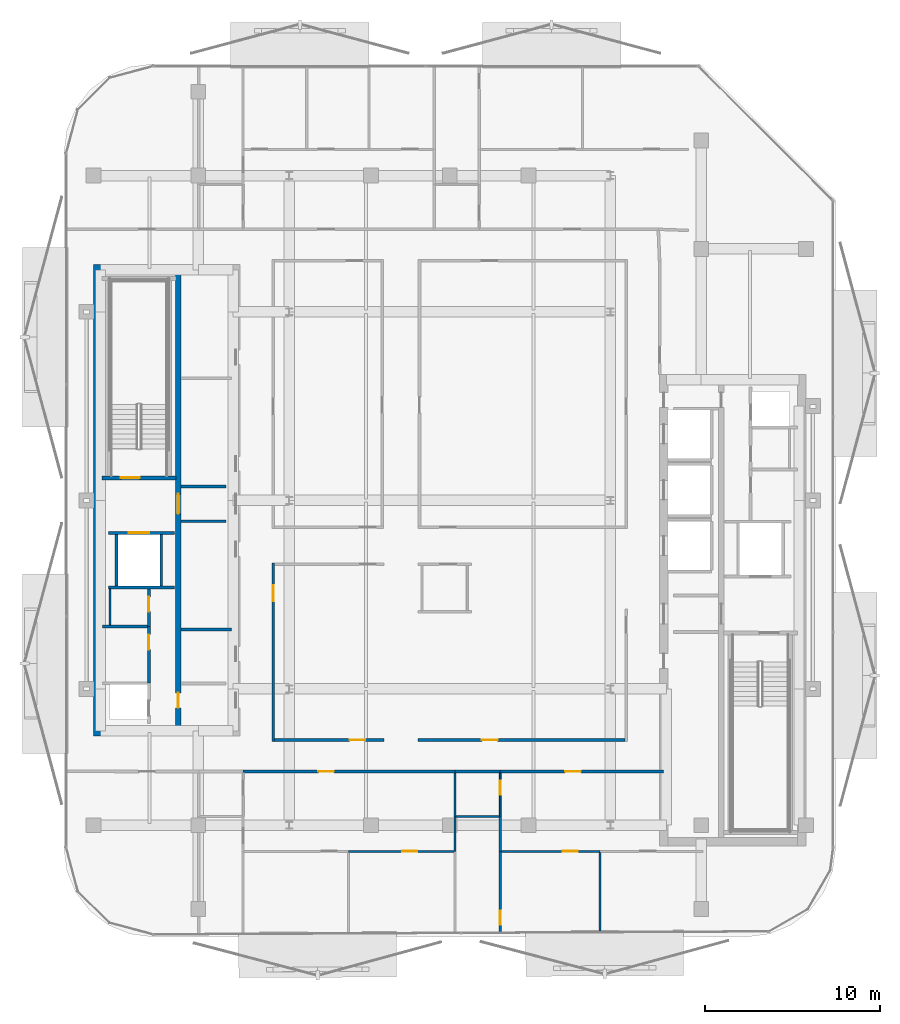
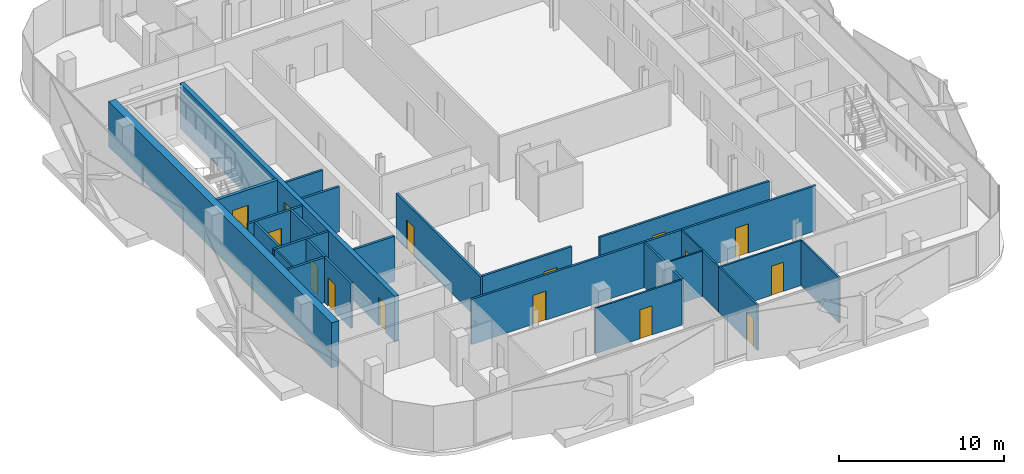
# One storey, part 3 of 16: 29 walls, 15 doors, 15 openings.
"""IFC4 building model written with IfcOpenShell, lengths in metres."""

from ifc_helpers import new_model, si_unit, direction, frame, frame_2d, origin, place, context, subcontext, project, spatial, rectangle, extrude, material, layer, layer_set, type_object, element, fill, save


model = new_model("IFC4")

# Units and contexts
model_context = context("Model", 3, precision=1e-05, world=origin(), true_north=direction((0.0, 1.0)))
body_context = subcontext(model_context, "Body", "Model", "MODEL_VIEW")
ifc_project = project(units=[si_unit("LENGTHUNIT", "METRE"), si_unit("AREAUNIT", "SQUARE_METRE"), si_unit("VOLUMEUNIT", "CUBIC_METRE"), si_unit("PLANEANGLEUNIT", "RADIAN"), si_unit("MASSUNIT", "GRAM", prefix="KILO")], contexts=[model_context])

# Site, building, storey
site_placement = place(None, origin())
site = spatial("IfcSite", under=ifc_project, at=site_placement, CompositionType="ELEMENT")
building_placement = place(site_placement, origin())
building = spatial("IfcBuilding", under=site, at=building_placement, Name="Khairoan Windgate Tower", CompositionType="ELEMENT")
storey_placement = place(building_placement, frame((0.0, 0.0, 258.39990234375)))
storey = spatial("IfcBuildingStorey", under=building, at=storey_placement, Name="L61", CompositionType="ELEMENT", Elevation=258.39990234375)

# Wall
ifc_material_1 = material(Name="Moisture-Resistant Gypsum Partition", Category="gypsum")
ifc_layer_1 = layer(ifc_material_1, 0.10009765625, Name="Moisture-Resistant Gypsum Partition")
ifc_layer_set_1 = layer_set([ifc_layer_1], Name="Moisture-Resistant Gypsum Partition")
wall_type_1 = type_object("IfcWallType", Name="Bathroom Wet-Area Partition Wall", PredefinedType="PARTITIONING", material=ifc_layer_set_1)
wall_1_placement = place(storey_placement, frame((0.3701171875, -18.10009765625, 0.0), z_axis=(0.0, 0.0, 1.0), x_axis=(1.0, 0.0, 0.0)))
element("IfcWall", 1, at=wall_1_placement, inside=storey, type_object=wall_type_1, Name="L61 Interior Partition 073", PredefinedType="PARTITIONING", context=body_context, shape_type="SweptSolid", body=[
    extrude(rectangle(XDim=2.469970703125, YDim=0.10009765625, at=frame_2d((1.23486328125, 0.0))), origin(), (0.0, 0.0, 1.0), 3.340087890625),
])

# Wall, opening, door
wall_2_placement = place(storey_placement, frame((2.889892578125, -18.10009765625, 0.0), z_axis=(0.0, 0.0, 1.0), x_axis=(0.0, 1.0, 0.0)))
wall_2 = element("IfcWall", 2, at=wall_2_placement, inside=storey, type_object=wall_type_1, Name="L61 Interior Partition 074", PredefinedType="PARTITIONING", context=body_context, shape_type="SweptSolid", body=[
    extrude(rectangle(XDim=2.5, YDim=0.10009765625, at=frame_2d((1.25, 0.0))), origin(), (0.0, 0.0, 1.0), 3.340087890625),
])
opening_1_placement = place(wall_2_placement, frame((1.239990234375, 0.0, 0.0)))
opening_1 = element("IfcOpeningElement", 3, at=opening_1_placement, cuts=wall_2, Name="Opening ID-BTH", PredefinedType="OPENING", context=body_context, shape_type="SweptSolid", body=[
    extrude(rectangle(XDim=0.800048828125, YDim=2.10009765625, at=frame_2d((0.39990234375, 1.050048828125))), frame((0.0, 0.06005859375, 0.0), z_axis=(0.0, -1.0, 0.0), x_axis=(1.0, 0.0, 0.0)), (0.0, 0.0, 1.0), 0.1201171875),
])
ifc_material_2 = material(Name="Teak Veneer Timber Leaf", Category="wood")
door_type_1 = type_object("IfcDoorType", Name="Internal Bathroom Door ID-BTH 800x2100", OperationType="NOTDEFINED", PredefinedType="DOOR", material=ifc_material_2)
door_1_placement = place(opening_1_placement, origin())
door_1 = element("IfcDoor", 4, at=door_1_placement, inside=storey, type_object=door_type_1, Name="L61 L61-49-L61-51 Door", OperationType="SINGLE_SWING_LEFT", OverallHeight=2.10009765625, OverallWidth=0.800048828125, PredefinedType="DOOR", context=body_context, shape_type="SweptSolid", body=[
    extrude(rectangle(XDim=0.800048828125, YDim=2.10009765625, at=frame_2d((0.39990234375, 1.050048828125))), frame((0.0, 0.02490234375, 0.0), z_axis=(0.0, -1.0, 0.0), x_axis=(1.0, 0.0, 0.0)), (0.0, 0.0, 1.0), 0.050048828125),
])
fill(opening_1, door_1)

# Wall
wall_3_placement = place(storey_placement, frame((-19.449951171875, -7.14990234375, 0.0), z_axis=(0.0, 0.0, 1.0), x_axis=(0.0, 1.0, 0.0)))
element("IfcWall", 5, at=wall_3_placement, inside=storey, type_object=wall_type_1, Name="L61 Wet Room Side Wall 081", PredefinedType="PARTITIONING", context=body_context, shape_type="SweptSolid", body=[
    extrude(rectangle(XDim=2.08984375, YDim=0.10009765625, at=frame_2d((1.044921875, 0.0))), origin(), (0.0, 0.0, 1.0), 3.340087890625),
])

# Wall, opening, door
ifc_material_3 = material(Name="Concrete C40/50", Category="concrete")
ifc_layer_2 = layer(ifc_material_3, 0.159912109375, Name="Concrete C40/50")
ifc_layer_set_2 = layer_set([ifc_layer_2], Name="Concrete C40/50")
wall_type_2 = type_object("IfcWallType", Name="Core and Hoistway Enclosure Wall", PredefinedType="STANDARD", material=ifc_layer_set_2)
wall_4_placement = place(storey_placement, frame((-19.550048828125, -1.860107421875, 0.0), z_axis=(0.0, 0.0, 1.0), x_axis=(1.0, 0.0, 0.0)))
wall_4 = element("IfcWall", 6, at=wall_4_placement, inside=storey, type_object=wall_type_2, Name="L61 Core Shaft Wall SW-FL2-L61", PredefinedType="STANDARD", context=body_context, shape_type="SweptSolid", body=[
    extrude(rectangle(XDim=3.800048828125, YDim=0.159912109375, at=frame_2d((1.89990234375, 0.0))), origin(), (0.0, 0.0, 1.0), 3.340087890625),
])
opening_2_placement = place(wall_4_placement, frame((1.179931640625, 0.0, 0.0)))
opening_2 = element("IfcOpeningElement", 7, at=opening_2_placement, cuts=wall_4, Name="Opening LD-FL", PredefinedType="OPENING", context=body_context, shape_type="SweptSolid", body=[
    extrude(rectangle(XDim=1.14990234375, YDim=2.199951171875, at=frame_2d((0.574951171875, 1.10009765625))), frame((0.0, 0.08984375, 0.0), z_axis=(0.0, -1.0, 0.0), x_axis=(1.0, 0.0, 0.0)), (0.0, 0.0, 1.0), 0.179931640625),
])
ifc_material_4 = material(Name="Steel S355", Category="steel")
door_type_2 = type_object("IfcDoorType", Name="Firefighting Lift Sliding Landing Door LD-FL 1150x2200", OperationType="DOUBLE_DOOR_SLIDING", PredefinedType="DOOR", material=ifc_material_4)
door_2_placement = place(opening_2_placement, origin())
door_2 = element("IfcDoor", 8, at=door_2_placement, inside=storey, type_object=door_type_2, Name="L61 Firefighting Lift FL2 Landing Door", OperationType="DOUBLE_DOOR_SLIDING", OverallHeight=2.199951171875, OverallWidth=1.14990234375, PredefinedType="DOOR", context=body_context, shape_type="SweptSolid", body=[
    extrude(rectangle(XDim=1.14990234375, YDim=2.199951171875, at=frame_2d((0.574951171875, 1.10009765625))), frame((0.0, 0.02490234375, 0.0), z_axis=(0.0, -1.0, 0.0), x_axis=(1.0, 0.0, 0.0)), (0.0, 0.0, 1.0), 0.050048828125),
])
fill(opening_2, door_2)

# Walls
wall_5_placement = place(storey_placement, frame((-19.550048828125, -4.97998046875, 0.0), z_axis=(0.0, 0.0, 1.0), x_axis=(1.0, 0.0, 0.0)))
element("IfcWall", 9, at=wall_5_placement, inside=storey, type_object=wall_type_2, Name="L61 Core Shaft Wall SW-FL2B-L61", PredefinedType="STANDARD", context=body_context, shape_type="SweptSolid", body=[
    extrude(rectangle(XDim=3.800048828125, YDim=0.159912109375, at=frame_2d((1.89990234375, 0.0))), origin(), (0.0, 0.0, 1.0), 3.340087890625),
])
for number, where, z_axis, x_axis, name in (
    (10, (-19.080078125, -4.89990234375, 0.0), (0.0, 0.0, 1.0), (0.0, 1.0, 0.0), "L61 Core Shaft Wall SW-FL2W-L61"),
    (11, (-16.52001953125, -4.89990234375, 0.0), (0.0, 0.0, 1.0), (0.0, 1.0, 0.0), "L61 Core Shaft Wall SW-FL2E-L61"),
):
    element("IfcWall", number, at=place(storey_placement, frame(where, z_axis=z_axis, x_axis=x_axis)), inside=storey, type_object=wall_type_2, Name=name, PredefinedType="STANDARD", context=body_context, shape_type="SweptSolid", body=[
        extrude(rectangle(XDim=2.9599609375, YDim=0.159912109375, at=frame_2d((1.47998046875, 0.0))), origin(), (0.0, 0.0, 1.0), 3.340087890625),
    ])
for number, where, z_axis, x_axis, name in (
    (12, (-15.39990234375, 0.800048828125, 0.0), (0.0, 0.0, 1.0), (1.0, 0.0, 0.0), "L61 Core Shaft Wall SW-WV1-L61"),
    (13, (-15.39990234375, -1.199951171875, 0.0), (0.0, 0.0, 1.0), (1.0, 0.0, 0.0), "L61 Core Shaft Wall SW-WV2-L61"),
):
    element("IfcWall", number, at=place(storey_placement, frame(where, z_axis=z_axis, x_axis=x_axis)), inside=storey, type_object=wall_type_2, Name=name, PredefinedType="STANDARD", context=body_context, shape_type="SweptSolid", body=[
        extrude(rectangle(XDim=2.599853515625, YDim=0.159912109375, at=frame_2d((1.2998046875, 0.0))), origin(), (0.0, 0.0, 1.0), 3.340087890625),
    ])
ifc_material_5 = material(Name="Acoustic Fire-Rated Gypsum Partition", Category="gypsum")
ifc_layer_3 = layer(ifc_material_5, 0.139892578125, Name="Acoustic Fire-Rated Gypsum Partition")
ifc_layer_set_3 = layer_set([ifc_layer_3], Name="Acoustic Fire-Rated Gypsum Partition")
wall_type_3 = type_object("IfcWallType", Name="Inter-Tenancy Compartment Wall", PredefinedType="PARTITIONING", material=ifc_layer_set_3)
wall_6_placement = place(storey_placement, frame((0.300048828125, -18.10009765625, 0.0), z_axis=(0.0, 0.0, 1.0), x_axis=(0.0, 1.0, 0.0)))
element("IfcWall", 14, at=wall_6_placement, inside=storey, type_object=wall_type_3, Name="L61 Interior Partition 069", PredefinedType="PARTITIONING", context=body_context, shape_type="SweptSolid", body=[
    extrude(rectangle(XDim=2.5, YDim=0.139892578125, at=frame_2d((1.25, 0.0))), origin(), (0.0, 0.0, 1.0), 3.340087890625),
])
wall_7_placement = place(storey_placement, frame((0.300048828125, -20.10009765625, 0.0), z_axis=(0.0, 0.0, 1.0), x_axis=(0.0, 1.0, 0.0)))
element("IfcWall", 15, at=wall_7_placement, inside=storey, type_object=wall_type_3, Name="L61 Interior Partition 070", PredefinedType="PARTITIONING", context=body_context, shape_type="SweptSolid", body=[
    extrude(rectangle(XDim=2.0, YDim=0.139892578125, at=frame_2d((1.0, 0.0))), origin(), (0.0, 0.0, 1.0), 3.340087890625),
])

# Wall, opening, door
ifc_material_6 = material(Name="Gypsum Stud Partition", Category="gypsum")
ifc_layer_4 = layer(ifc_material_6, 0.1201171875, Name="Gypsum Stud Partition")
ifc_layer_set_4 = layer_set([ifc_layer_4], Name="Gypsum Stud Partition")
wall_type_4 = type_object("IfcWallType", Name="Internal Room Partition Wall", PredefinedType="PARTITIONING", material=ifc_layer_set_4)
wall_8_placement = place(storey_placement, frame((-5.804931640625, -20.10009765625, 0.0), z_axis=(0.0, 0.0, 1.0), x_axis=(1.0, 0.0, 0.0)))
wall_8 = element("IfcWall", 16, at=wall_8_placement, inside=storey, type_object=wall_type_4, Name="L61 Interior Partition 068", PredefinedType="PARTITIONING", context=body_context, shape_type="SweptSolid", body=[
    extrude(rectangle(XDim=6.034912109375, YDim=0.1201171875, at=frame_2d((3.017578125, 0.0))), origin(), (0.0, 0.0, 1.0), 3.340087890625),
])
opening_3_placement = place(wall_8_placement, frame((3.093994140625, 0.0, 0.0)))
opening_3 = element("IfcOpeningElement", 17, at=opening_3_placement, cuts=wall_8, Name="Opening ID-RM", PredefinedType="OPENING", context=body_context, shape_type="SweptSolid", body=[
    extrude(rectangle(XDim=0.860107421875, YDim=2.14990234375, at=frame_2d((0.43017578125, 1.074951171875))), frame((0.0, 0.070068359375, 0.0), z_axis=(0.0, -1.0, 0.0), x_axis=(1.0, 0.0, 0.0)), (0.0, 0.0, 1.0), 0.14013671875),
])
ifc_material_7 = material(Name="Teak Veneer Timber Leaf", Category="wood")
door_type_3 = type_object("IfcDoorType", Name="Internal Bedroom and Office Door ID-RM 860x2150", OperationType="NOTDEFINED", PredefinedType="DOOR", material=ifc_material_7)
door_3_placement = place(opening_3_placement, origin())
door_3 = element("IfcDoor", 18, at=door_3_placement, inside=storey, type_object=door_type_3, Name="L61 L61-46-L61-48 Door", OperationType="SINGLE_SWING_RIGHT", OverallHeight=2.14990234375, OverallWidth=0.860107421875, PredefinedType="DOOR", context=body_context, shape_type="SweptSolid", body=[
    extrude(rectangle(XDim=0.860107421875, YDim=2.14990234375, at=frame_2d((0.43017578125, 1.074951171875))), frame((0.0, 0.02490234375, 0.0), z_axis=(0.0, -1.0, 0.0), x_axis=(1.0, 0.0, 0.0)), (0.0, 0.0, 1.0), 0.050048828125),
])
fill(opening_3, door_3)

# Wall
wall_9_placement = place(storey_placement, frame((2.889892578125, -20.10009765625, 0.0), z_axis=(0.0, 0.0, 1.0), x_axis=(0.0, 1.0, 0.0)))
element("IfcWall", 19, at=wall_9_placement, inside=storey, type_object=wall_type_4, Name="L61 Interior Partition 075", PredefinedType="PARTITIONING", context=body_context, shape_type="SweptSolid", body=[
    extrude(rectangle(XDim=2.0, YDim=0.1201171875, at=frame_2d((1.0, 0.0))), origin(), (0.0, 0.0, 1.0), 3.340087890625),
])

# Wall, opening, door
wall_10_placement = place(storey_placement, frame((2.889892578125, -24.759033203125, 0.0), z_axis=(0.0, 0.0, 1.0), x_axis=(0.0, 1.0, 0.0)))
wall_10 = element("IfcWall", 20, at=wall_10_placement, inside=storey, type_object=wall_type_4, Name="L61 Interior Partition 076", PredefinedType="PARTITIONING", context=body_context, shape_type="SweptSolid", body=[
    extrude(rectangle(XDim=4.658935546875, YDim=0.1201171875, at=frame_2d((2.32958984375, 0.0))), origin(), (0.0, 0.0, 1.0), 3.340087890625),
])
opening_4_placement = place(wall_10_placement, frame((0.4599609375, 0.0, 0.0)))
opening_4 = element("IfcOpeningElement", 21, at=opening_4_placement, cuts=wall_10, Name="Opening ID-BTH", PredefinedType="OPENING", context=body_context, shape_type="SweptSolid", body=[
    extrude(rectangle(XDim=0.800048828125, YDim=2.10009765625, at=frame_2d((0.39990234375, 1.050048828125))), frame((0.0, 0.070068359375, 0.0), z_axis=(0.0, -1.0, 0.0), x_axis=(1.0, 0.0, 0.0)), (0.0, 0.0, 1.0), 0.14013671875),
])
door_4_placement = place(opening_4_placement, origin())
door_4 = element("IfcDoor", 22, at=door_4_placement, inside=storey, type_object=door_type_1, Name="L61 L61-50-L61-52 Door", OperationType="SINGLE_SWING_RIGHT", OverallHeight=2.10009765625, OverallWidth=0.800048828125, PredefinedType="DOOR", context=body_context, shape_type="SweptSolid", body=[
    extrude(rectangle(XDim=0.800048828125, YDim=2.10009765625, at=frame_2d((0.39990234375, 1.050048828125))), frame((0.0, 0.02490234375, 0.0), z_axis=(0.0, -1.0, 0.0), x_axis=(1.0, 0.0, 0.0)), (0.0, 0.0, 1.0), 0.050048828125),
])
fill(opening_4, door_4)

wall_11_placement = place(storey_placement, frame((2.949951171875, -20.10009765625, 0.0), z_axis=(0.0, 0.0, 1.0), x_axis=(1.0, 0.0, 0.0)))
wall_11 = element("IfcWall", 23, at=wall_11_placement, inside=storey, type_object=wall_type_4, Name="L61 Interior Partition 077", PredefinedType="PARTITIONING", context=body_context, shape_type="SweptSolid", body=[
    extrude(rectangle(XDim=5.6650390625, YDim=0.1201171875, at=frame_2d((2.83251953125, 0.0))), origin(), (0.0, 0.0, 1.0), 3.340087890625),
])
opening_5_placement = place(wall_11_placement, frame((3.527099609375, 0.0, 0.0)))
opening_5 = element("IfcOpeningElement", 24, at=opening_5_placement, cuts=wall_11, Name="Opening ID-RM", PredefinedType="OPENING", context=body_context, shape_type="SweptSolid", body=[
    extrude(rectangle(XDim=0.860107421875, YDim=2.14990234375, at=frame_2d((0.43017578125, 1.074951171875))), frame((0.0, 0.070068359375, 0.0), z_axis=(0.0, -1.0, 0.0), x_axis=(1.0, 0.0, 0.0)), (0.0, 0.0, 1.0), 0.14013671875),
])
door_5_placement = place(opening_5_placement, origin())
door_5 = element("IfcDoor", 25, at=door_5_placement, inside=storey, type_object=door_type_3, Name="L61 L61-51-L61-52 Door", OperationType="SINGLE_SWING_LEFT", OverallHeight=2.14990234375, OverallWidth=0.860107421875, PredefinedType="DOOR", context=body_context, shape_type="SweptSolid", body=[
    extrude(rectangle(XDim=0.860107421875, YDim=2.14990234375, at=frame_2d((0.43017578125, 1.074951171875))), frame((0.0, 0.02490234375, 0.0), z_axis=(0.0, -1.0, 0.0), x_axis=(1.0, 0.0, 0.0)), (0.0, 0.0, 1.0), 0.050048828125),
])
fill(opening_5, door_5)

# Wall
wall_12_placement = place(storey_placement, frame((8.614990234375, -24.7314453125, 0.0), z_axis=(0.0, 0.0, 1.0), x_axis=(0.0, 1.0, 0.0)))
element("IfcWall", 26, at=wall_12_placement, inside=storey, type_object=wall_type_4, Name="L61 Interior Partition 079", PredefinedType="PARTITIONING", context=body_context, shape_type="SweptSolid", body=[
    extrude(rectangle(XDim=4.571533203125, YDim=0.1201171875, at=frame_2d((2.28564453125, 0.0))), origin(), (0.0, 0.0, 1.0), 3.340087890625),
])

# Wall, opening, door
ifc_material_8 = material(Name="Concrete C40/50", Category="concrete")
ifc_layer_5 = layer(ifc_material_8, 0.159912109375, Name="Concrete C40/50")
ifc_layer_set_5 = layer_set([ifc_layer_5], Name="Concrete C40/50")
wall_type_5 = type_object("IfcWallType", Name="Plant and Refuge Compartment Wall", PredefinedType="PARTITIONING", material=ifc_layer_set_5)
wall_13_placement = place(storey_placement, frame((-17.22998046875, -7.22998046875, 0.0), z_axis=(0.0, 0.0, 1.0), x_axis=(0.0, 1.0, 0.0)))
wall_13 = element("IfcWall", 27, at=wall_13_placement, inside=storey, type_object=wall_type_5, Name="L61 Interior Partition 002", PredefinedType="PARTITIONING", context=body_context, shape_type="SweptSolid", body=[
    extrude(rectangle(XDim=2.169921875, YDim=0.159912109375, at=frame_2d((1.0849609375, 0.0))), origin(), (0.0, 0.0, 1.0), 3.340087890625),
])
opening_6_placement = place(wall_13_placement, frame((0.860107421875, 0.0, 0.0)))
opening_6 = element("IfcOpeningElement", 28, at=opening_6_placement, cuts=wall_13, Name="Opening FD-SRV", PredefinedType="OPENING", context=body_context, shape_type="SweptSolid", body=[
    extrude(rectangle(XDim=0.85009765625, YDim=2.10009765625, at=frame_2d((0.425048828125, 1.050048828125))), frame((0.0, 0.08984375, 0.0), z_axis=(0.0, -1.0, 0.0), x_axis=(1.0, 0.0, 0.0)), (0.0, 0.0, 1.0), 0.179931640625),
])
ifc_material_9 = material(Name="Steel S355", Category="steel")
door_type_4 = type_object("IfcDoorType", Name="Core Service and Riser Fire Door FD-SRV 850x2100", OperationType="NOTDEFINED", PredefinedType="DOOR", material=ifc_material_9)
door_6_placement = place(opening_6_placement, origin())
door_6 = element("IfcDoor", 29, at=door_6_placement, inside=storey, type_object=door_type_4, Name="L61 L61-04-L61-06 Door", OperationType="SINGLE_SWING_LEFT", OverallHeight=2.10009765625, OverallWidth=0.85009765625, PredefinedType="DOOR", context=body_context, shape_type="SweptSolid", body=[
    extrude(rectangle(XDim=0.85009765625, YDim=2.10009765625, at=frame_2d((0.425048828125, 1.050048828125))), frame((0.0, 0.02490234375, 0.0), z_axis=(0.0, -1.0, 0.0), x_axis=(1.0, 0.0, 0.0)), (0.0, 0.0, 1.0), 0.050048828125),
])
fill(opening_6, door_6)

wall_14_placement = place(storey_placement, frame((-17.22998046875, -10.469970703125, 0.0), z_axis=(0.0, 0.0, 1.0), x_axis=(0.0, 1.0, 0.0)))
wall_14 = element("IfcWall", 30, at=wall_14_placement, inside=storey, type_object=wall_type_5, Name="L61 Interior Partition 003", PredefinedType="PARTITIONING", context=body_context, shape_type="SweptSolid", body=[
    extrude(rectangle(XDim=3.239990234375, YDim=0.159912109375, at=frame_2d((1.6201171875, 0.0))), origin(), (0.0, 0.0, 1.0), 3.340087890625),
])
opening_7_placement = place(wall_14_placement, frame((1.929931640625, 0.0, 0.0)))
opening_7 = element("IfcOpeningElement", 31, at=opening_7_placement, cuts=wall_14, Name="Opening FD-SRV", PredefinedType="OPENING", context=body_context, shape_type="SweptSolid", body=[
    extrude(rectangle(XDim=0.85009765625, YDim=2.10009765625, at=frame_2d((0.425048828125, 1.050048828125))), frame((0.0, 0.08984375, 0.0), z_axis=(0.0, -1.0, 0.0), x_axis=(1.0, 0.0, 0.0)), (0.0, 0.0, 1.0), 0.179931640625),
])
door_7_placement = place(opening_7_placement, origin())
door_7 = element("IfcDoor", 32, at=door_7_placement, inside=storey, type_object=door_type_4, Name="L61 L61-04-L61-07 Door", OperationType="SINGLE_SWING_RIGHT", OverallHeight=2.10009765625, OverallWidth=0.85009765625, PredefinedType="DOOR", context=body_context, shape_type="SweptSolid", body=[
    extrude(rectangle(XDim=0.85009765625, YDim=2.10009765625, at=frame_2d((0.425048828125, 1.050048828125))), frame((0.0, 0.02490234375, 0.0), z_axis=(0.0, -1.0, 0.0), x_axis=(1.0, 0.0, 0.0)), (0.0, 0.0, 1.0), 0.050048828125),
])
fill(opening_7, door_7)

# Walls
wall_15_placement = place(storey_placement, frame((-19.89990234375, -7.22998046875, 0.0), z_axis=(0.0, 0.0, 1.0), x_axis=(1.0, 0.0, 0.0)))
element("IfcWall", 33, at=wall_15_placement, inside=storey, type_object=wall_type_5, Name="L61 Interior Partition 005", PredefinedType="PARTITIONING", context=body_context, shape_type="SweptSolid", body=[
    extrude(rectangle(XDim=2.58984375, YDim=0.159912109375, at=frame_2d((1.294921875, 0.0))), origin(), (0.0, 0.0, 1.0), 3.340087890625),
])
wall_16_placement = place(storey_placement, frame((-15.39990234375, -7.39990234375, 0.0), z_axis=(0.0, 0.0, 1.0), x_axis=(1.0, 0.0, 0.0)))
element("IfcWall", 34, at=wall_16_placement, inside=storey, type_object=wall_type_5, Name="L61 Interior Partition 007", PredefinedType="PARTITIONING", context=body_context, shape_type="SweptSolid", body=[
    extrude(rectangle(XDim=2.89990234375, YDim=0.159912109375, at=frame_2d((1.449951171875, 0.0))), origin(), (0.0, 0.0, 1.0), 3.340087890625),
])

# Wall, opening, door
ifc_material_10 = material(Name="Acoustic Fire-Rated Gypsum Partition", Category="gypsum")
ifc_layer_6 = layer(ifc_material_10, 0.14990234375, Name="Acoustic Fire-Rated Gypsum Partition")
ifc_layer_set_6 = layer_set([ifc_layer_6], Name="Acoustic Fire-Rated Gypsum Partition")
wall_type_6 = type_object("IfcWallType", Name="Rated Corridor Partition Wall", PredefinedType="PARTITIONING", material=ifc_layer_set_6)
wall_17_placement = place(storey_placement, frame((-10.10009765625, -13.794921875, 0.0), z_axis=(0.0, 0.0, 1.0), x_axis=(0.0, 1.0, 0.0)))
wall_17 = element("IfcWall", 35, at=wall_17_placement, inside=storey, type_object=wall_type_6, Name="L61 Interior Partition 014", PredefinedType="PARTITIONING", context=body_context, shape_type="SweptSolid", body=[
    extrude(rectangle(XDim=10.204833984375, YDim=0.14990234375, at=frame_2d((5.1025390625, 0.0))), origin(), (0.0, 0.0, 1.0), 3.340087890625),
])
opening_8_placement = place(wall_17_placement, frame((8.027099609375, 0.0, 0.0)))
opening_8 = element("IfcOpeningElement", 36, at=opening_8_placement, cuts=wall_17, Name="Opening FD-ENT", PredefinedType="OPENING", context=body_context, shape_type="SweptSolid", body=[
    extrude(rectangle(XDim=0.89990234375, YDim=2.14990234375, at=frame_2d((0.449951171875, 1.074951171875))), frame((0.0, 0.0849609375, 0.0), z_axis=(0.0, -1.0, 0.0), x_axis=(1.0, 0.0, 0.0)), (0.0, 0.0, 1.0), 0.169921875),
])
ifc_material_11 = material(Name="Timber Fire-Rated Core", Category="wood")
door_type_5 = type_object("IfcDoorType", Name="Unit and Office Fire Entrance Door FD-ENT 900x2150", OperationType="NOTDEFINED", PredefinedType="DOOR", material=ifc_material_11)
door_8_placement = place(opening_8_placement, origin())
door_8 = element("IfcDoor", 37, at=door_8_placement, inside=storey, type_object=door_type_5, Name="L61 L61-27-L61-58 Door", OperationType="SINGLE_SWING_LEFT", OverallHeight=2.14990234375, OverallWidth=0.89990234375, PredefinedType="DOOR", context=body_context, shape_type="SweptSolid", body=[
    extrude(rectangle(XDim=0.89990234375, YDim=2.14990234375, at=frame_2d((0.449951171875, 1.074951171875))), frame((0.0, 0.02490234375, 0.0), z_axis=(0.0, -1.0, 0.0), x_axis=(1.0, 0.0, 0.0)), (0.0, 0.0, 1.0), 0.050048828125),
])
fill(opening_8, door_8)

wall_18_placement = place(storey_placement, frame((-11.830078125, -15.52490234375, 0.0), z_axis=(0.0, 0.0, 1.0), x_axis=(1.0, 0.0, 0.0)))
wall_18 = element("IfcWall", 38, at=wall_18_placement, inside=storey, type_object=wall_type_6, Name="L61 Interior Partition 033", PredefinedType="PARTITIONING", context=body_context, shape_type="SweptSolid", body=[
    extrude(rectangle(XDim=12.130126953125, YDim=0.14990234375, at=frame_2d((6.06494140625, 0.0))), origin(), (0.0, 0.0, 1.0), 3.340087890625),
])
opening_9_placement = place(wall_18_placement, frame((4.301025390625, 0.0, 0.0)))
opening_9 = element("IfcOpeningElement", 39, at=opening_9_placement, cuts=wall_18, Name="Opening FD-ENT", PredefinedType="OPENING", context=body_context, shape_type="SweptSolid", body=[
    extrude(rectangle(XDim=0.89990234375, YDim=2.14990234375, at=frame_2d((0.449951171875, 1.074951171875))), frame((0.0, 0.0849609375, 0.0), z_axis=(0.0, -1.0, 0.0), x_axis=(1.0, 0.0, 0.0)), (0.0, 0.0, 1.0), 0.169921875),
])
door_9_placement = place(opening_9_placement, origin())
door_9 = element("IfcDoor", 40, at=door_9_placement, inside=storey, type_object=door_type_5, Name="L61 L61-32-L61-46 Door", OperationType="SINGLE_SWING_LEFT", OverallHeight=2.14990234375, OverallWidth=0.89990234375, PredefinedType="DOOR", context=body_context, shape_type="SweptSolid", body=[
    extrude(rectangle(XDim=0.89990234375, YDim=2.14990234375, at=frame_2d((0.449951171875, 1.074951171875))), frame((0.0, 0.02490234375, 0.0), z_axis=(0.0, -1.0, 0.0), x_axis=(1.0, 0.0, 0.0)), (0.0, 0.0, 1.0), 0.050048828125),
])
fill(opening_9, door_9)

# Wall
wall_19_placement = place(storey_placement, frame((0.300048828125, -15.52490234375, 0.0), z_axis=(0.0, 0.0, 1.0), x_axis=(1.0, 0.0, 0.0)))
element("IfcWall", 41, at=wall_19_placement, inside=storey, type_object=wall_type_6, Name="L61 Interior Partition 034", PredefinedType="PARTITIONING", context=body_context, shape_type="SweptSolid", body=[
    extrude(rectangle(XDim=2.58984375, YDim=0.14990234375, at=frame_2d((1.294921875, 0.0))), origin(), (0.0, 0.0, 1.0), 3.340087890625),
])

# Wall, opening, door
wall_20_placement = place(storey_placement, frame((2.889892578125, -15.52490234375, 0.0), z_axis=(0.0, 0.0, 1.0), x_axis=(1.0, 0.0, 0.0)))
wall_20 = element("IfcWall", 42, at=wall_20_placement, inside=storey, type_object=wall_type_6, Name="L61 Interior Partition 035", PredefinedType="PARTITIONING", context=body_context, shape_type="SweptSolid", body=[
    extrude(rectangle(XDim=9.35009765625, YDim=0.14990234375, at=frame_2d((4.675048828125, 0.0))), origin(), (0.0, 0.0, 1.0), 3.340087890625),
])
opening_10_placement = place(wall_20_placement, frame((3.71630859375, 0.0, 0.0)))
opening_10 = element("IfcOpeningElement", 43, at=opening_10_placement, cuts=wall_20, Name="Opening FD-ENT", PredefinedType="OPENING", context=body_context, shape_type="SweptSolid", body=[
    extrude(rectangle(XDim=0.89990234375, YDim=2.14990234375, at=frame_2d((0.449951171875, 1.074951171875))), frame((0.0, 0.0849609375, 0.0), z_axis=(0.0, -1.0, 0.0), x_axis=(1.0, 0.0, 0.0)), (0.0, 0.0, 1.0), 0.169921875),
])
door_10_placement = place(opening_10_placement, origin())
door_10 = element("IfcDoor", 44, at=door_10_placement, inside=storey, type_object=door_type_5, Name="L61 L61-32-L61-51 Door", OperationType="SINGLE_SWING_RIGHT", OverallHeight=2.14990234375, OverallWidth=0.89990234375, PredefinedType="DOOR", context=body_context, shape_type="SweptSolid", body=[
    extrude(rectangle(XDim=0.89990234375, YDim=2.14990234375, at=frame_2d((0.449951171875, 1.074951171875))), frame((0.0, 0.02490234375, 0.0), z_axis=(0.0, -1.0, 0.0), x_axis=(1.0, 0.0, 0.0)), (0.0, 0.0, 1.0), 0.050048828125),
])
fill(opening_10, door_10)

wall_21_placement = place(storey_placement, frame((-10.02490234375, -13.719970703125, 0.0), z_axis=(0.0, 0.0, 1.0), x_axis=(1.0, 0.0, 0.0)))
wall_21 = element("IfcWall", 45, at=wall_21_placement, inside=storey, type_object=wall_type_6, Name="L61 Interior Partition 037", PredefinedType="PARTITIONING", context=body_context, shape_type="SweptSolid", body=[
    extrude(rectangle(XDim=6.2548828125, YDim=0.14990234375, at=frame_2d((3.12744140625, 0.0))), origin(), (0.0, 0.0, 1.0), 3.340087890625),
])
opening_11_placement = place(wall_21_placement, frame((4.290283203125, 0.0, 0.0)))
opening_11 = element("IfcOpeningElement", 46, at=opening_11_placement, cuts=wall_21, Name="Opening FD-ENT", PredefinedType="OPENING", context=body_context, shape_type="SweptSolid", body=[
    extrude(rectangle(XDim=0.89990234375, YDim=2.14990234375, at=frame_2d((0.449951171875, 1.074951171875))), frame((0.0, 0.0849609375, 0.0), z_axis=(0.0, -1.0, 0.0), x_axis=(1.0, 0.0, 0.0)), (0.0, 0.0, 1.0), 0.169921875),
])
door_11_placement = place(opening_11_placement, origin())
door_11 = element("IfcDoor", 47, at=door_11_placement, inside=storey, type_object=door_type_5, Name="L61 L61-32-L61-58 Door", OperationType="SINGLE_SWING_RIGHT", OverallHeight=2.14990234375, OverallWidth=0.89990234375, PredefinedType="DOOR", context=body_context, shape_type="SweptSolid", body=[
    extrude(rectangle(XDim=0.89990234375, YDim=2.14990234375, at=frame_2d((0.449951171875, 1.074951171875))), frame((0.0, 0.02490234375, 0.0), z_axis=(0.0, -1.0, 0.0), x_axis=(1.0, 0.0, 0.0)), (0.0, 0.0, 1.0), 0.050048828125),
])
fill(opening_11, door_11)

wall_22_placement = place(storey_placement, frame((-1.830078125, -13.719970703125, 0.0), z_axis=(0.0, 0.0, 1.0), x_axis=(1.0, 0.0, 0.0)))
wall_22 = element("IfcWall", 48, at=wall_22_placement, inside=storey, type_object=wall_type_6, Name="L61 Interior Partition 038", PredefinedType="PARTITIONING", context=body_context, shape_type="SweptSolid", body=[
    extrude(rectangle(XDim=11.85498046875, YDim=0.14990234375, at=frame_2d((5.927490234375, 0.0))), origin(), (0.0, 0.0, 1.0), 3.340087890625),
])
opening_12_placement = place(wall_22_placement, frame((3.671142578125, 0.0, 0.0)))
opening_12 = element("IfcOpeningElement", 49, at=opening_12_placement, cuts=wall_22, Name="Opening FD-ENT", PredefinedType="OPENING", context=body_context, shape_type="SweptSolid", body=[
    extrude(rectangle(XDim=0.89990234375, YDim=2.14990234375, at=frame_2d((0.449951171875, 1.074951171875))), frame((0.0, 0.0849609375, 0.0), z_axis=(0.0, -1.0, 0.0), x_axis=(1.0, 0.0, 0.0)), (0.0, 0.0, 1.0), 0.169921875),
])
door_12_placement = place(opening_12_placement, origin())
door_12 = element("IfcDoor", 50, at=door_12_placement, inside=storey, type_object=door_type_5, Name="L61 L61-32-L61-61 Door", OperationType="SINGLE_SWING_LEFT", OverallHeight=2.14990234375, OverallWidth=0.89990234375, PredefinedType="DOOR", context=body_context, shape_type="SweptSolid", body=[
    extrude(rectangle(XDim=0.89990234375, YDim=2.14990234375, at=frame_2d((0.449951171875, 1.074951171875))), frame((0.0, 0.02490234375, 0.0), z_axis=(0.0, -1.0, 0.0), x_axis=(1.0, 0.0, 0.0)), (0.0, 0.0, 1.0), 0.050048828125),
])
fill(opening_12, door_12)

# Wall
ifc_material_12 = material(Name="Concrete C50/60", Category="concrete")
ifc_layer_7 = layer(ifc_material_12, 0.5, Name="Concrete C50/60")
ifc_layer_set_7 = layer_set([ifc_layer_7], Name="Concrete C50/60")
wall_type_7 = type_object("IfcWallType", Name="Shear Wall CW-W3 500mm", PredefinedType="SHEAR", material=ifc_layer_set_7)
wall_23_placement = place(storey_placement, frame((-20.14990234375, -13.5, 0.0), z_axis=(0.0, 0.0, 1.0), x_axis=(0.0, 1.0, 0.0)))
element("IfcWall", 51, at=wall_23_placement, inside=storey, type_object=wall_type_7, Name="W Core West Shear Wall L61", PredefinedType="SHEAR", context=body_context, shape_type="SweptSolid", body=[
    extrude(rectangle(XDim=27.0, YDim=0.5, at=frame_2d((13.5, 0.0))), origin(), (0.0, 0.0, 1.0), 3.340087890625),
])

# Wall, openings, doors
ifc_material_13 = material(Name="Concrete C50/60", Category="concrete")
ifc_layer_8 = layer(ifc_material_13, 0.300048828125, Name="Concrete C50/60")
ifc_layer_set_8 = layer_set([ifc_layer_8], Name="Concrete C50/60")
wall_type_8 = type_object("IfcWallType", Name="Shear Wall SW-2 300mm", PredefinedType="SHEAR", material=ifc_layer_set_8)
wall_24_placement = place(storey_placement, frame((-15.550048828125, -13.0, 0.0), z_axis=(0.0, 0.0, 1.0), x_axis=(0.0, 1.0, 0.0)))
wall_24 = element("IfcWall", 52, at=wall_24_placement, inside=storey, type_object=wall_type_8, Name="W Core Spine Shear Wall L61", PredefinedType="SHEAR", context=body_context, shape_type="SweptSolid", body=[
    extrude(rectangle(XDim=26.0, YDim=0.300048828125, at=frame_2d((13.0, 0.0))), origin(), (0.0, 0.0, 1.0), 3.340087890625),
])
opening_13_placement = place(wall_24_placement, frame((12.22509765625, 0.0, 0.0)))
opening_13 = element("IfcOpeningElement", 53, at=opening_13_placement, cuts=wall_24, Name="Opening FD-FFL", PredefinedType="OPENING", context=body_context, shape_type="SweptSolid", body=[
    extrude(rectangle(XDim=1.14990234375, YDim=2.199951171875, at=frame_2d((0.574951171875, 1.10009765625))), frame((0.0, 0.159912109375, 0.0), z_axis=(0.0, -1.0, 0.0), x_axis=(1.0, 0.0, 0.0)), (0.0, 0.0, 1.0), 0.320068359375),
])
opening_14_placement = place(wall_24_placement, frame((1.125, 0.0, 0.0)))
opening_14 = element("IfcOpeningElement", 54, at=opening_14_placement, cuts=wall_24, Name="Opening FD-SRV", PredefinedType="OPENING", context=body_context, shape_type="SweptSolid", body=[
    extrude(rectangle(XDim=0.85009765625, YDim=2.10009765625, at=frame_2d((0.425048828125, 1.050048828125))), frame((0.0, 0.159912109375, 0.0), z_axis=(0.0, -1.0, 0.0), x_axis=(1.0, 0.0, 0.0)), (0.0, 0.0, 1.0), 0.320068359375),
])
door_13_placement = place(opening_14_placement, origin())
door_13 = element("IfcDoor", 55, at=door_13_placement, inside=storey, type_object=door_type_4, Name="L61 West Core Service Passage Inner Door", OperationType="SINGLE_SWING_LEFT", OverallHeight=2.10009765625, OverallWidth=0.85009765625, PredefinedType="DOOR", context=body_context, shape_type="SweptSolid", body=[
    extrude(rectangle(XDim=0.85009765625, YDim=2.10009765625, at=frame_2d((0.425048828125, 1.050048828125))), frame((0.0, 0.02490234375, 0.0), z_axis=(0.0, -1.0, 0.0), x_axis=(1.0, 0.0, 0.0)), (0.0, 0.0, 1.0), 0.050048828125),
])
fill(opening_14, door_13)
ifc_material_14 = material(Name="Steel S355", Category="steel")
door_type_6 = type_object("IfcDoorType", Name="Firefighting Lobby Fire Door FD-FFL 1150x2200", OperationType="NOTDEFINED", PredefinedType="DOOR", material=ifc_material_14)
door_14_placement = place(opening_13_placement, origin())
door_14 = element("IfcDoor", 56, at=door_14_placement, inside=storey, type_object=door_type_6, Name="L61 West Firefighting Lobby Fire Door", OperationType="SINGLE_SWING_LEFT", OverallHeight=2.199951171875, OverallWidth=1.14990234375, PredefinedType="DOOR", context=body_context, shape_type="SweptSolid", body=[
    extrude(rectangle(XDim=1.14990234375, YDim=2.199951171875, at=frame_2d((0.574951171875, 1.10009765625))), frame((0.0, 0.02490234375, 0.0), z_axis=(0.0, -1.0, 0.0), x_axis=(1.0, 0.0, 0.0)), (0.0, 0.0, 1.0), 0.050048828125),
])
fill(opening_13, door_14)

# Wall, opening, door
ifc_material_15 = material(Name="Concrete C50/60", Category="concrete")
ifc_layer_9 = layer(ifc_material_15, 0.219970703125, Name="Concrete C50/60")
ifc_layer_set_9 = layer_set([ifc_layer_9], Name="Concrete C50/60")
wall_type_9 = type_object("IfcWallType", Name="Shear Wall SW-ST 220mm", PredefinedType="SHEAR", material=ifc_layer_set_9)
wall_25_placement = place(storey_placement, frame((-19.919921875, 1.2900390625, 0.0), z_axis=(0.0, 0.0, 1.0), x_axis=(1.0, 0.0, 0.0)))
wall_25 = element("IfcWall", 57, at=wall_25_placement, inside=storey, type_object=wall_type_9, Name="L61 Stair ST2 South Bearing Wall", PredefinedType="SHEAR", context=body_context, shape_type="SweptSolid", body=[
    extrude(rectangle(XDim=4.239990234375, YDim=0.219970703125, at=frame_2d((2.1201171875, 0.0))), origin(), (0.0, 0.0, 1.0), 3.340087890625),
])
opening_15_placement = place(wall_25_placement, frame((1.080078125, 0.0, 0.0)))
opening_15 = element("IfcOpeningElement", 58, at=opening_15_placement, cuts=wall_25, Name="Opening FD-ST", PredefinedType="OPENING", context=body_context, shape_type="SweptSolid", body=[
    extrude(rectangle(XDim=1.10009765625, YDim=2.199951171875, at=frame_2d((0.550048828125, 1.10009765625))), frame((0.0, 0.119873046875, 0.0), z_axis=(0.0, -1.0, 0.0), x_axis=(1.0, 0.0, 0.0)), (0.0, 0.0, 1.0), 0.239990234375),
])
ifc_material_16 = material(Name="Steel S355", Category="steel")
door_type_7 = type_object("IfcDoorType", Name="Smokeproof Stair Fire Door FD-ST 1100x2200", OperationType="NOTDEFINED", PredefinedType="DOOR", material=ifc_material_16)
door_15_placement = place(opening_15_placement, origin())
door_15 = element("IfcDoor", 59, at=door_15_placement, inside=storey, type_object=door_type_7, Name="L61 Stair ST2 Fire Door", OperationType="SINGLE_SWING_RIGHT", OverallHeight=2.199951171875, OverallWidth=1.10009765625, PredefinedType="DOOR", context=body_context, shape_type="SweptSolid", body=[
    extrude(rectangle(XDim=1.10009765625, YDim=2.199951171875, at=frame_2d((0.550048828125, 1.10009765625))), frame((0.0, 0.02490234375, 0.0), z_axis=(0.0, -1.0, 0.0), x_axis=(1.0, 0.0, 0.0)), (0.0, 0.0, 1.0), 0.050048828125),
])
fill(opening_15, door_15)

save(model, "model.ifc")
